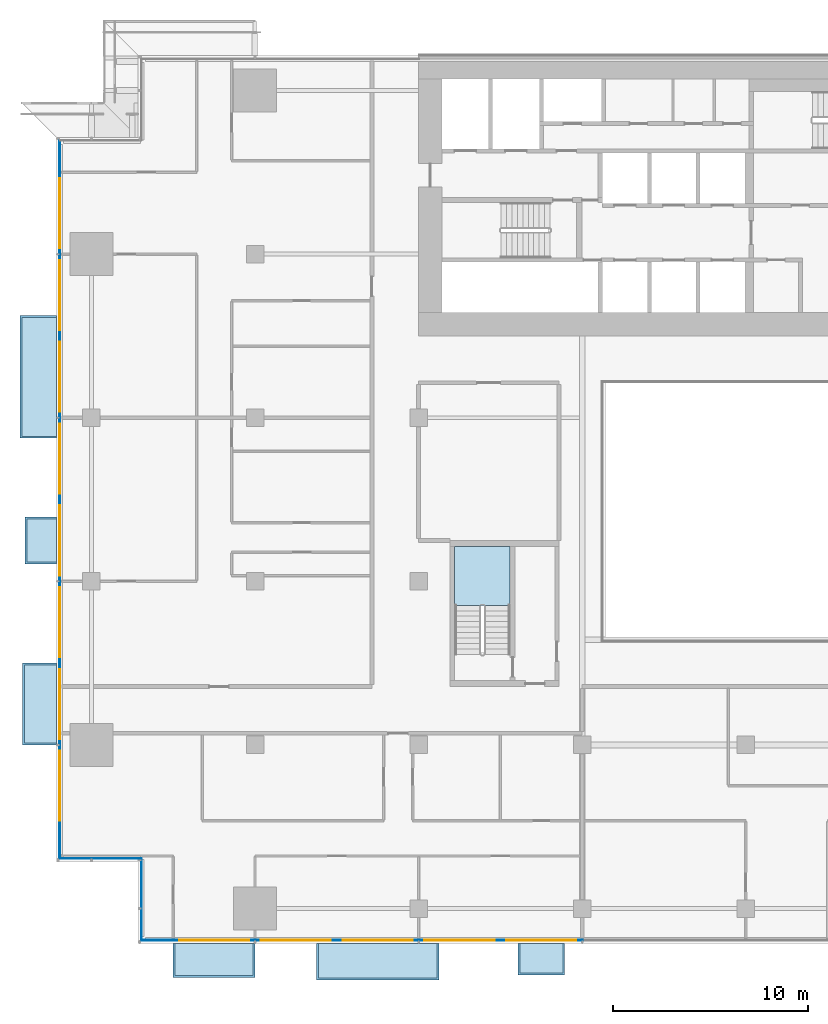
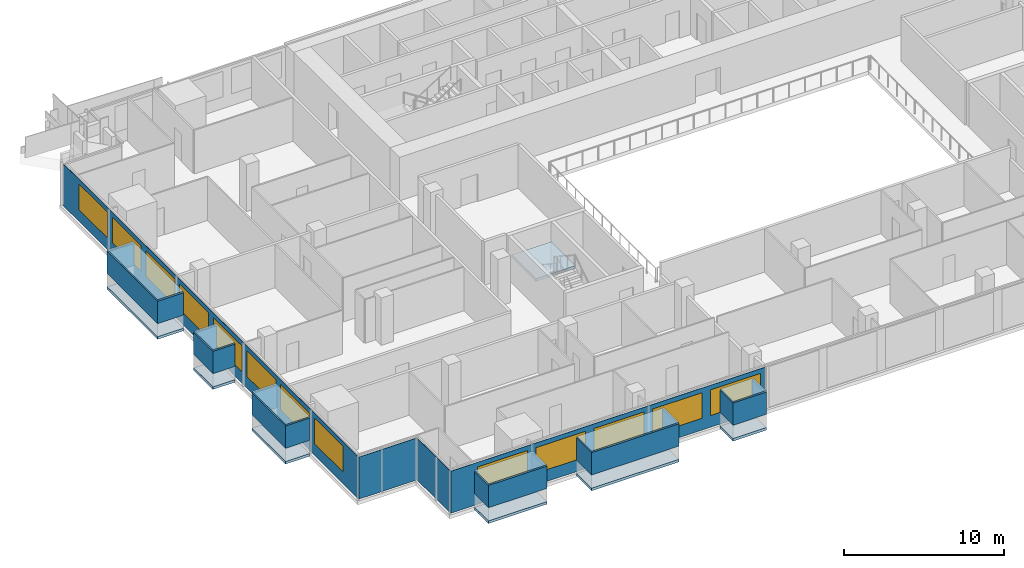
# One storey, part 14 of 29: 16 plates, 13 windows, 7 slabs, 13 openings, 5 elements without a shape of their own.
"""IFC4 building model written with IfcOpenShell, lengths in metres."""

from ifc_helpers import new_model, si_unit, direction, frame, frame_2d, origin, place, context, subcontext, project, spatial, polyline, rectangle, outline, extrude, material, layer, layer_set, type_object, element, fill, aggregate, save


model = new_model("IFC4")

# Units and contexts
model_context = context("Model", 3, precision=1e-05, world=origin(), true_north=direction((0.0, 1.0)))
body_context = subcontext(model_context, "Body", "Model", "MODEL_VIEW")
ifc_project = project(units=[si_unit("LENGTHUNIT", "METRE"), si_unit("AREAUNIT", "SQUARE_METRE"), si_unit("VOLUMEUNIT", "CUBIC_METRE"), si_unit("PLANEANGLEUNIT", "RADIAN"), si_unit("MASSUNIT", "GRAM", prefix="KILO")], contexts=[model_context])

# Site, building, storey
site_placement = place(None, origin())
site = spatial("IfcSite", under=ifc_project, at=site_placement, CompositionType="ELEMENT")
building_placement = place(site_placement, origin())
building = spatial("IfcBuilding", under=site, at=building_placement, Name="Saffron Gate Tower", CompositionType="ELEMENT")
storey_placement = place(building_placement, frame((0.0, 0.0, 48.0)))
storey = spatial("IfcBuildingStorey", under=building, at=storey_placement, Name="L10", CompositionType="ELEMENT", Elevation=48.0)

# Curtain wall, plate, openings, windows
ifc_material_1 = material(Name="Aluminium, bronze anodised", Category="aluminium")
curtain_wall_type_1 = type_object("IfcCurtainWallType", Name="CWS1 curtain wall front facade", PredefinedType="NOTDEFINED", material=ifc_material_1)
curtain_wall_1_placement = place(storey_placement, origin())
curtain_wall_1 = element("IfcCurtainWall", 1, at=curtain_wall_1_placement, inside=storey, type_object=curtain_wall_type_1, Name="CWS1 run 1", PredefinedType="NOTDEFINED")
ifc_material_2 = material(Name="Fritted bronze-tinted laminated glass", Category="glass")
ifc_layer_1 = layer(ifc_material_2, 0.028076171875)
ifc_layer_set_1 = layer_set([ifc_layer_1], Name="CWS1 fixed glass")
plate_type_1 = type_object("IfcPlateType", Name="CWS1 fixed glass", PredefinedType="CURTAIN_PANEL", material=ifc_layer_set_1)
plate_1_placement = place(storey_placement, frame((52.387939453125, 30.174072265625, 0.0), z_axis=(0.0, 0.0, 1.0), x_axis=(1.0, 0.0, 0.0)))
plate_1 = element("IfcPlate", 2, at=plate_1_placement, type_object=plate_type_1, Name="CWS1 glass panel", PredefinedType="CURTAIN_PANEL", context=body_context, shape_type="SweptSolid", body=[
    extrude(rectangle(XDim=22.64208984375, YDim=0.028076171875, at=frame_2d((11.321044921875, 0.0))), origin(), (0.0, 0.0, 1.0), 3.199951171875),
])
opening_1_placement = place(plate_1_placement, frame((1.912109375, 0.0, 0.89990234375)))
opening_1 = element("IfcOpeningElement", 3, at=opening_1_placement, cuts=plate_1, Name="Opening W1", PredefinedType="OPENING", context=body_context, shape_type="SweptSolid", body=[
    extrude(rectangle(XDim=3.60009765625, YDim=1.949951171875, at=frame_2d((1.800048828125, 0.97509765625))), frame((0.0, 0.02392578125, 0.0), z_axis=(0.0, -1.0, 0.0), x_axis=(1.0, 0.0, 0.0)), (0.0, 0.0, 1.0), 0.048095703125),
])
opening_2_placement = place(plate_1_placement, frame((6.112060546875, 0.0, 0.89990234375)))
opening_2 = element("IfcOpeningElement", 4, at=opening_2_placement, cuts=plate_1, Name="Opening W1", PredefinedType="OPENING", context=body_context, shape_type="SweptSolid", body=[
    extrude(rectangle(XDim=3.60009765625, YDim=1.949951171875, at=frame_2d((1.800048828125, 0.97509765625))), frame((0.0, 0.02392578125, 0.0), z_axis=(0.0, -1.0, 0.0), x_axis=(1.0, 0.0, 0.0)), (0.0, 0.0, 1.0), 0.048095703125),
])
opening_3_placement = place(plate_1_placement, frame((10.31201171875, 0.0, 0.89990234375)))
opening_3 = element("IfcOpeningElement", 5, at=opening_3_placement, cuts=plate_1, Name="Opening W1", PredefinedType="OPENING", context=body_context, shape_type="SweptSolid", body=[
    extrude(rectangle(XDim=3.60009765625, YDim=1.949951171875, at=frame_2d((1.800048828125, 0.97509765625))), frame((0.0, 0.02392578125, 0.0), z_axis=(0.0, -1.0, 0.0), x_axis=(1.0, 0.0, 0.0)), (0.0, 0.0, 1.0), 0.048095703125),
])
opening_4_placement = place(plate_1_placement, frame((14.511962890625, 0.0, 0.89990234375)))
opening_4 = element("IfcOpeningElement", 6, at=opening_4_placement, cuts=plate_1, Name="Opening W1", PredefinedType="OPENING", context=body_context, shape_type="SweptSolid", body=[
    extrude(rectangle(XDim=3.60009765625, YDim=1.949951171875, at=frame_2d((1.800048828125, 0.97509765625))), frame((0.0, 0.02392578125, 0.0), z_axis=(0.0, -1.0, 0.0), x_axis=(1.0, 0.0, 0.0)), (0.0, 0.0, 1.0), 0.048095703125),
])
opening_5_placement = place(plate_1_placement, frame((18.7119140625, 0.0, 0.89990234375)))
opening_5 = element("IfcOpeningElement", 7, at=opening_5_placement, cuts=plate_1, Name="Opening W1", PredefinedType="OPENING", context=body_context, shape_type="SweptSolid", body=[
    extrude(rectangle(XDim=3.60009765625, YDim=1.949951171875, at=frame_2d((1.800048828125, 0.97509765625))), frame((0.0, 0.02392578125, 0.0), z_axis=(0.0, -1.0, 0.0), x_axis=(1.0, 0.0, 0.0)), (0.0, 0.0, 1.0), 0.048095703125),
])
ifc_material_3 = material(Name="Fritted bronze-tinted laminated glass in bronze frame", Category="glass")
ifc_layer_2 = layer(ifc_material_3, 0.06005859375)
ifc_layer_set_2 = layer_set([ifc_layer_2], Name="W1 operable panel 3600x1950")
window_type = type_object("IfcWindowType", Name="W1 operable panel 3600x1950", PartitioningType="DOUBLE_PANEL_HORIZONTAL", PredefinedType="WINDOW", material=ifc_layer_set_2)
window_1_placement = place(opening_1_placement, origin())
window_1 = element("IfcWindow", 8, at=window_1_placement, type_object=window_type, Name="W1 operable panel", OverallHeight=1.949951171875, OverallWidth=3.60009765625, PartitioningType="SINGLE_PANEL", PredefinedType="WINDOW", context=body_context, shape_type="SweptSolid", body=[
    extrude(rectangle(XDim=3.60009765625, YDim=1.949951171875, at=frame_2d((1.800048828125, 0.97509765625))), frame((0.0, 0.013671875, 0.0), z_axis=(0.0, -1.0, 0.0), x_axis=(1.0, 0.0, 0.0)), (0.0, 0.0, 1.0), 0.027587890625),
])
fill(opening_1, window_1)
window_2_placement = place(opening_2_placement, origin())
window_2 = element("IfcWindow", 9, at=window_2_placement, type_object=window_type, Name="W1 operable panel", OverallHeight=1.949951171875, OverallWidth=3.60009765625, PartitioningType="SINGLE_PANEL", PredefinedType="WINDOW", context=body_context, shape_type="SweptSolid", body=[
    extrude(rectangle(XDim=3.60009765625, YDim=1.949951171875, at=frame_2d((1.800048828125, 0.97509765625))), frame((0.0, 0.013671875, 0.0), z_axis=(0.0, -1.0, 0.0), x_axis=(1.0, 0.0, 0.0)), (0.0, 0.0, 1.0), 0.027587890625),
])
fill(opening_2, window_2)
window_3_placement = place(opening_3_placement, origin())
window_3 = element("IfcWindow", 10, at=window_3_placement, type_object=window_type, Name="W1 operable panel", OverallHeight=1.949951171875, OverallWidth=3.60009765625, PartitioningType="SINGLE_PANEL", PredefinedType="WINDOW", context=body_context, shape_type="SweptSolid", body=[
    extrude(rectangle(XDim=3.60009765625, YDim=1.949951171875, at=frame_2d((1.800048828125, 0.97509765625))), frame((0.0, 0.013671875, 0.0), z_axis=(0.0, -1.0, 0.0), x_axis=(1.0, 0.0, 0.0)), (0.0, 0.0, 1.0), 0.027587890625),
])
fill(opening_3, window_3)
window_4_placement = place(opening_4_placement, origin())
window_4 = element("IfcWindow", 11, at=window_4_placement, type_object=window_type, Name="W1 operable panel", OverallHeight=1.949951171875, OverallWidth=3.60009765625, PartitioningType="SINGLE_PANEL", PredefinedType="WINDOW", context=body_context, shape_type="SweptSolid", body=[
    extrude(rectangle(XDim=3.60009765625, YDim=1.949951171875, at=frame_2d((1.800048828125, 0.97509765625))), frame((0.0, 0.013671875, 0.0), z_axis=(0.0, -1.0, 0.0), x_axis=(1.0, 0.0, 0.0)), (0.0, 0.0, 1.0), 0.027587890625),
])
fill(opening_4, window_4)
window_5_placement = place(opening_5_placement, origin())
window_5 = element("IfcWindow", 12, at=window_5_placement, type_object=window_type, Name="W1 operable panel", OverallHeight=1.949951171875, OverallWidth=3.60009765625, PartitioningType="SINGLE_PANEL", PredefinedType="WINDOW", context=body_context, shape_type="SweptSolid", body=[
    extrude(rectangle(XDim=3.60009765625, YDim=1.949951171875, at=frame_2d((1.800048828125, 0.97509765625))), frame((0.0, 0.013671875, 0.0), z_axis=(0.0, -1.0, 0.0), x_axis=(1.0, 0.0, 0.0)), (0.0, 0.0, 1.0), 0.027587890625),
])
fill(opening_5, window_5)
aggregate(curtain_wall_1, [plate_1, window_1, window_2, window_3, window_4, window_5])

curtain_wall_type_2 = type_object("IfcCurtainWallType", Name="CWS2 curtain wall side facades", PredefinedType="NOTDEFINED", material=ifc_material_1)
curtain_wall_2_placement = place(storey_placement, origin())
curtain_wall_2 = element("IfcCurtainWall", 13, at=curtain_wall_2_placement, inside=storey, type_object=curtain_wall_type_2, Name="CWS2 run 10", PredefinedType="NOTDEFINED")
ifc_layer_3 = layer(ifc_material_2, 0.028076171875)
ifc_layer_set_3 = layer_set([ifc_layer_3], Name="CWS2 fixed glass")
plate_type_2 = type_object("IfcPlateType", Name="CWS2 fixed glass", PredefinedType="CURTAIN_PANEL", material=ifc_layer_set_3)
plate_2_placement = place(storey_placement, frame((48.174072265625, 71.2119140625, 0.0), z_axis=(0.0, 0.0, 1.0), x_axis=(0.0, -1.0, 0.0)))
plate_2 = element("IfcPlate", 14, at=plate_2_placement, type_object=plate_type_2, Name="CWS2 glass panel", PredefinedType="CURTAIN_PANEL", context=body_context, shape_type="SweptSolid", body=[
    extrude(rectangle(XDim=36.823974609375, YDim=0.028076171875, at=frame_2d((18.412109375, 0.0))), origin(), (0.0, 0.0, 1.0), 3.199951171875),
])
opening_6_placement = place(plate_2_placement, frame((1.912109375, 0.0, 0.89990234375)))
opening_6 = element("IfcOpeningElement", 15, at=opening_6_placement, cuts=plate_2, Name="Opening W1", PredefinedType="OPENING", context=body_context, shape_type="SweptSolid", body=[
    extrude(rectangle(XDim=3.60009765625, YDim=1.949951171875, at=frame_2d((1.800048828125, 0.97509765625))), frame((0.0, 0.02392578125, 0.0), z_axis=(0.0, -1.0, 0.0), x_axis=(1.0, 0.0, 0.0)), (0.0, 0.0, 1.0), 0.048095703125),
])
opening_7_placement = place(plate_2_placement, frame((6.112060546875, 0.0, 0.89990234375)))
opening_7 = element("IfcOpeningElement", 16, at=opening_7_placement, cuts=plate_2, Name="Opening W1", PredefinedType="OPENING", context=body_context, shape_type="SweptSolid", body=[
    extrude(rectangle(XDim=3.60009765625, YDim=1.949951171875, at=frame_2d((1.800048828125, 0.97509765625))), frame((0.0, 0.02392578125, 0.0), z_axis=(0.0, -1.0, 0.0), x_axis=(1.0, 0.0, 0.0)), (0.0, 0.0, 1.0), 0.048095703125),
])
opening_8_placement = place(plate_2_placement, frame((10.31201171875, 0.0, 0.89990234375)))
opening_8 = element("IfcOpeningElement", 17, at=opening_8_placement, cuts=plate_2, Name="Opening W1", PredefinedType="OPENING", context=body_context, shape_type="SweptSolid", body=[
    extrude(rectangle(XDim=3.60009765625, YDim=1.949951171875, at=frame_2d((1.800048828125, 0.97509765625))), frame((0.0, 0.02392578125, 0.0), z_axis=(0.0, -1.0, 0.0), x_axis=(1.0, 0.0, 0.0)), (0.0, 0.0, 1.0), 0.048095703125),
])
opening_9_placement = place(plate_2_placement, frame((14.511962890625, 0.0, 0.89990234375)))
opening_9 = element("IfcOpeningElement", 18, at=opening_9_placement, cuts=plate_2, Name="Opening W1", PredefinedType="OPENING", context=body_context, shape_type="SweptSolid", body=[
    extrude(rectangle(XDim=3.60009765625, YDim=1.949951171875, at=frame_2d((1.800048828125, 0.97509765625))), frame((0.0, 0.02392578125, 0.0), z_axis=(0.0, -1.0, 0.0), x_axis=(1.0, 0.0, 0.0)), (0.0, 0.0, 1.0), 0.048095703125),
])
opening_10_placement = place(plate_2_placement, frame((18.7119140625, 0.0, 0.89990234375)))
opening_10 = element("IfcOpeningElement", 19, at=opening_10_placement, cuts=plate_2, Name="Opening W1", PredefinedType="OPENING", context=body_context, shape_type="SweptSolid", body=[
    extrude(rectangle(XDim=3.60009765625, YDim=1.949951171875, at=frame_2d((1.800048828125, 0.97509765625))), frame((0.0, 0.02392578125, 0.0), z_axis=(0.0, -1.0, 0.0), x_axis=(1.0, 0.0, 0.0)), (0.0, 0.0, 1.0), 0.048095703125),
])
opening_11_placement = place(plate_2_placement, frame((22.912109375, 0.0, 0.89990234375)))
opening_11 = element("IfcOpeningElement", 20, at=opening_11_placement, cuts=plate_2, Name="Opening W1", PredefinedType="OPENING", context=body_context, shape_type="SweptSolid", body=[
    extrude(rectangle(XDim=3.60009765625, YDim=1.949951171875, at=frame_2d((1.800048828125, 0.97509765625))), frame((0.0, 0.02392578125, 0.0), z_axis=(0.0, -1.0, 0.0), x_axis=(1.0, 0.0, 0.0)), (0.0, 0.0, 1.0), 0.048095703125),
])
opening_12_placement = place(plate_2_placement, frame((27.112060546875, 0.0, 0.89990234375)))
opening_12 = element("IfcOpeningElement", 21, at=opening_12_placement, cuts=plate_2, Name="Opening W1", PredefinedType="OPENING", context=body_context, shape_type="SweptSolid", body=[
    extrude(rectangle(XDim=3.60009765625, YDim=1.949951171875, at=frame_2d((1.800048828125, 0.97509765625))), frame((0.0, 0.02392578125, 0.0), z_axis=(0.0, -1.0, 0.0), x_axis=(1.0, 0.0, 0.0)), (0.0, 0.0, 1.0), 0.048095703125),
])
opening_13_placement = place(plate_2_placement, frame((31.31201171875, 0.0, 0.89990234375)))
opening_13 = element("IfcOpeningElement", 22, at=opening_13_placement, cuts=plate_2, Name="Opening W1", PredefinedType="OPENING", context=body_context, shape_type="SweptSolid", body=[
    extrude(rectangle(XDim=3.60009765625, YDim=1.949951171875, at=frame_2d((1.800048828125, 0.97509765625))), frame((0.0, 0.02392578125, 0.0), z_axis=(0.0, -1.0, 0.0), x_axis=(1.0, 0.0, 0.0)), (0.0, 0.0, 1.0), 0.048095703125),
])
window_6_placement = place(opening_6_placement, origin())
window_6 = element("IfcWindow", 23, at=window_6_placement, type_object=window_type, Name="W1 operable panel", OverallHeight=1.949951171875, OverallWidth=3.60009765625, PartitioningType="SINGLE_PANEL", PredefinedType="WINDOW", context=body_context, shape_type="SweptSolid", body=[
    extrude(rectangle(XDim=3.60009765625, YDim=1.949951171875, at=frame_2d((1.800048828125, 0.97509765625))), frame((0.0, 0.013671875, 0.0), z_axis=(0.0, -1.0, 0.0), x_axis=(1.0, 0.0, 0.0)), (0.0, 0.0, 1.0), 0.027587890625),
])
fill(opening_6, window_6)
window_7_placement = place(opening_7_placement, origin())
window_7 = element("IfcWindow", 24, at=window_7_placement, type_object=window_type, Name="W1 operable panel", OverallHeight=1.949951171875, OverallWidth=3.60009765625, PartitioningType="SINGLE_PANEL", PredefinedType="WINDOW", context=body_context, shape_type="SweptSolid", body=[
    extrude(rectangle(XDim=3.60009765625, YDim=1.949951171875, at=frame_2d((1.800048828125, 0.97509765625))), frame((0.0, 0.013671875, 0.0), z_axis=(0.0, -1.0, 0.0), x_axis=(1.0, 0.0, 0.0)), (0.0, 0.0, 1.0), 0.027587890625),
])
fill(opening_7, window_7)
window_8_placement = place(opening_8_placement, origin())
window_8 = element("IfcWindow", 25, at=window_8_placement, type_object=window_type, Name="W1 operable panel", OverallHeight=1.949951171875, OverallWidth=3.60009765625, PartitioningType="SINGLE_PANEL", PredefinedType="WINDOW", context=body_context, shape_type="SweptSolid", body=[
    extrude(rectangle(XDim=3.60009765625, YDim=1.949951171875, at=frame_2d((1.800048828125, 0.97509765625))), frame((0.0, 0.013671875, 0.0), z_axis=(0.0, -1.0, 0.0), x_axis=(1.0, 0.0, 0.0)), (0.0, 0.0, 1.0), 0.027587890625),
])
fill(opening_8, window_8)
window_9_placement = place(opening_9_placement, origin())
window_9 = element("IfcWindow", 26, at=window_9_placement, type_object=window_type, Name="W1 operable panel", OverallHeight=1.949951171875, OverallWidth=3.60009765625, PartitioningType="SINGLE_PANEL", PredefinedType="WINDOW", context=body_context, shape_type="SweptSolid", body=[
    extrude(rectangle(XDim=3.60009765625, YDim=1.949951171875, at=frame_2d((1.800048828125, 0.97509765625))), frame((0.0, 0.013671875, 0.0), z_axis=(0.0, -1.0, 0.0), x_axis=(1.0, 0.0, 0.0)), (0.0, 0.0, 1.0), 0.027587890625),
])
fill(opening_9, window_9)
window_10_placement = place(opening_10_placement, origin())
window_10 = element("IfcWindow", 27, at=window_10_placement, type_object=window_type, Name="W1 operable panel", OverallHeight=1.949951171875, OverallWidth=3.60009765625, PartitioningType="SINGLE_PANEL", PredefinedType="WINDOW", context=body_context, shape_type="SweptSolid", body=[
    extrude(rectangle(XDim=3.60009765625, YDim=1.949951171875, at=frame_2d((1.800048828125, 0.97509765625))), frame((0.0, 0.013671875, 0.0), z_axis=(0.0, -1.0, 0.0), x_axis=(1.0, 0.0, 0.0)), (0.0, 0.0, 1.0), 0.027587890625),
])
fill(opening_10, window_10)
window_11_placement = place(opening_11_placement, origin())
window_11 = element("IfcWindow", 28, at=window_11_placement, type_object=window_type, Name="W1 operable panel", OverallHeight=1.949951171875, OverallWidth=3.60009765625, PartitioningType="SINGLE_PANEL", PredefinedType="WINDOW", context=body_context, shape_type="SweptSolid", body=[
    extrude(rectangle(XDim=3.60009765625, YDim=1.949951171875, at=frame_2d((1.800048828125, 0.97509765625))), frame((0.0, 0.013671875, 0.0), z_axis=(0.0, -1.0, 0.0), x_axis=(1.0, 0.0, 0.0)), (0.0, 0.0, 1.0), 0.027587890625),
])
fill(opening_11, window_11)
window_12_placement = place(opening_12_placement, origin())
window_12 = element("IfcWindow", 29, at=window_12_placement, type_object=window_type, Name="W1 operable panel", OverallHeight=1.949951171875, OverallWidth=3.60009765625, PartitioningType="SINGLE_PANEL", PredefinedType="WINDOW", context=body_context, shape_type="SweptSolid", body=[
    extrude(rectangle(XDim=3.60009765625, YDim=1.949951171875, at=frame_2d((1.800048828125, 0.97509765625))), frame((0.0, 0.013671875, 0.0), z_axis=(0.0, -1.0, 0.0), x_axis=(1.0, 0.0, 0.0)), (0.0, 0.0, 1.0), 0.027587890625),
])
fill(opening_12, window_12)
window_13_placement = place(opening_13_placement, origin())
window_13 = element("IfcWindow", 30, at=window_13_placement, type_object=window_type, Name="W1 operable panel", OverallHeight=1.949951171875, OverallWidth=3.60009765625, PartitioningType="SINGLE_PANEL", PredefinedType="WINDOW", context=body_context, shape_type="SweptSolid", body=[
    extrude(rectangle(XDim=3.60009765625, YDim=1.949951171875, at=frame_2d((1.800048828125, 0.97509765625))), frame((0.0, 0.013671875, 0.0), z_axis=(0.0, -1.0, 0.0), x_axis=(1.0, 0.0, 0.0)), (0.0, 0.0, 1.0), 0.027587890625),
])
fill(opening_13, window_13)
aggregate(curtain_wall_2, [plate_2, window_6, window_7, window_8, window_9, window_10, window_11, window_12, window_13])

# Curtain wall, plate
curtain_wall_type_3 = type_object("IfcCurtainWallType", Name="CWS4 curtain wall corner returns", PredefinedType="NOTDEFINED", material=ifc_material_1)
curtain_wall_3_placement = place(storey_placement, origin())
curtain_wall_3 = element("IfcCurtainWall", 31, at=curtain_wall_3_placement, inside=storey, type_object=curtain_wall_type_3, Name="CWS4 run 11", PredefinedType="NOTDEFINED")
ifc_layer_4 = layer(ifc_material_2, 0.028076171875)
ifc_layer_set_4 = layer_set([ifc_layer_4], Name="CWS4 fixed glass")
plate_type_3 = type_object("IfcPlateType", Name="CWS4 fixed glass", PredefinedType="CURTAIN_PANEL", material=ifc_layer_set_4)
plate_3_placement = place(storey_placement, frame((48.18798828125, 34.3740234375, 0.0), z_axis=(0.0, 0.0, 1.0), x_axis=(1.0, 0.0, 0.0)))
plate_3 = element("IfcPlate", 32, at=plate_3_placement, type_object=plate_type_3, Name="CWS4 glass panel", PredefinedType="CURTAIN_PANEL", context=body_context, shape_type="SweptSolid", body=[
    extrude(rectangle(XDim=4.172119140625, YDim=0.028076171875, at=frame_2d((2.0859375, 0.0))), origin(), (0.0, 0.0, 1.0), 3.199951171875),
])
aggregate(curtain_wall_3, [plate_3])

curtain_wall_4_placement = place(storey_placement, origin())
curtain_wall_4 = element("IfcCurtainWall", 33, at=curtain_wall_4_placement, inside=storey, type_object=curtain_wall_type_3, Name="CWS4 run 12", PredefinedType="NOTDEFINED")
plate_4_placement = place(storey_placement, frame((52.3740234375, 34.360107421875, 0.0), z_axis=(0.0, 0.0, 1.0), x_axis=(0.0, -1.0, 0.0)))
plate_4 = element("IfcPlate", 34, at=plate_4_placement, type_object=plate_type_3, Name="CWS4 glass panel", PredefinedType="CURTAIN_PANEL", context=body_context, shape_type="SweptSolid", body=[
    extrude(rectangle(XDim=4.172119140625, YDim=0.028076171875, at=frame_2d((2.0859375, 0.0))), origin(), (0.0, 0.0, 1.0), 3.199951171875),
])
aggregate(curtain_wall_4, [plate_4])

# Stair, slab
ifc_material_4 = material(Name="Concrete C40", Category="concrete")
stair_type = type_object("IfcStairType", Name="ST7 Stair 1350 wide, 20 risers of 180", PredefinedType="HALF_TURN_STAIR", material=ifc_material_4)
stair_placement = place(storey_placement, origin())
stair = element("IfcStair", 35, at=stair_placement, inside=storey, type_object=stair_type, Name="L10 Exit stair D", PredefinedType="HALF_TURN_STAIR")
ifc_layer_5 = layer(ifc_material_4, 0.199951171875)
ifc_layer_set_5 = layer_set([ifc_layer_5], Name="SL1 Stair landing 200")
slab_type_1 = type_object("IfcSlabType", Name="SL1 Stair landing 200", PredefinedType="LANDING", material=ifc_layer_set_5)
slab_1_placement = place(storey_placement, frame((0.0, 0.0, 1.60009765625)))
slab_1 = element("IfcSlab", 36, at=slab_1_placement, type_object=slab_type_1, Name="ST-D landing 1", PredefinedType="LANDING", context=body_context, shape_type="SweptSolid", body=[
    extrude(outline(polyline([(71.300048828125, 47.3701171875), (71.300048828125, 50.39990234375), (68.449951171875, 50.39990234375), (68.449951171875, 47.3701171875), (71.300048828125, 47.3701171875)])), origin(), (0.0, 0.0, 1.0), 0.199951171875),
])
aggregate(stair, [slab_1])

# Slabs
ifc_material_5 = material(Name="Timber deck on bronze frame", Category="wood")
ifc_layer_6 = layer(ifc_material_5, 0.199951171875)
ifc_layer_set_6 = layer_set([ifc_layer_6], Name="WB1 box floor")
slab_type_2 = type_object("IfcSlabType", Name="WB1 box floor", PredefinedType="FLOOR", material=ifc_layer_set_6)
slab_2_placement = place(storey_placement, frame((0.0, 0.0, -0.199951171875)))
element("IfcSlab", 37, at=slab_2_placement, inside=storey, type_object=slab_type_2, Name="WINDOW BOX floor", PredefinedType="FLOOR", context=body_context, shape_type="SweptSolid", body=[
    extrude(outline(polyline([(54.0, 30.0), (58.199951171875, 30.0), (58.199951171875, 28.26708984375), (54.0, 28.26708984375), (54.0, 30.0)])), origin(), (0.0, 0.0, 1.0), 0.199951171875),
])
slab_3_placement = place(storey_placement, frame((0.0, 0.0, -0.199951171875)))
element("IfcSlab", 38, at=slab_3_placement, inside=storey, type_object=slab_type_2, Name="WINDOW BOX floor", PredefinedType="FLOOR", context=body_context, shape_type="SweptSolid", body=[
    extrude(outline(polyline([(61.35009765625, 30.0), (67.64990234375, 30.0), (67.64990234375, 28.133056640625), (61.35009765625, 28.133056640625), (61.35009765625, 30.0)])), origin(), (0.0, 0.0, 1.0), 0.199951171875),
])
slab_4_placement = place(storey_placement, frame((0.0, 0.0, -0.199951171875)))
element("IfcSlab", 39, at=slab_4_placement, inside=storey, type_object=slab_type_2, Name="WINDOW BOX floor", PredefinedType="FLOOR", context=body_context, shape_type="SweptSolid", body=[
    extrude(outline(polyline([(71.699951171875, 30.0), (74.10009765625, 30.0), (74.10009765625, 28.39990234375), (71.699951171875, 28.39990234375), (71.699951171875, 30.0)])), origin(), (0.0, 0.0, 1.0), 0.199951171875),
])
slab_5_placement = place(storey_placement, frame((0.0, 0.0, -0.199951171875)))
element("IfcSlab", 40, at=slab_5_placement, inside=storey, type_object=slab_type_2, Name="WINDOW BOX floor", PredefinedType="FLOOR", context=body_context, shape_type="SweptSolid", body=[
    extrude(outline(polyline([(48.0, 62.25), (48.0, 55.949951171875), (46.133056640625, 55.949951171875), (46.133056640625, 62.25), (48.0, 62.25)])), origin(), (0.0, 0.0, 1.0), 0.199951171875),
])
slab_6_placement = place(storey_placement, frame((0.0, 0.0, -0.199951171875)))
element("IfcSlab", 41, at=slab_6_placement, inside=storey, type_object=slab_type_2, Name="WINDOW BOX floor", PredefinedType="FLOOR", context=body_context, shape_type="SweptSolid", body=[
    extrude(outline(polyline([(48.0, 51.89990234375), (48.0, 49.5), (46.39990234375, 49.5), (46.39990234375, 51.89990234375), (48.0, 51.89990234375)])), origin(), (0.0, 0.0, 1.0), 0.199951171875),
])
slab_7_placement = place(storey_placement, frame((0.0, 0.0, -0.199951171875)))
element("IfcSlab", 42, at=slab_7_placement, inside=storey, type_object=slab_type_2, Name="WINDOW BOX floor", PredefinedType="FLOOR", context=body_context, shape_type="SweptSolid", body=[
    extrude(outline(polyline([(48.0, 44.39990234375), (48.0, 40.199951171875), (46.26708984375, 40.199951171875), (46.26708984375, 44.39990234375), (48.0, 44.39990234375)])), origin(), (0.0, 0.0, 1.0), 0.199951171875),
])

# Plates
ifc_layer_7 = layer(ifc_material_1, 0.1201171875)
ifc_layer_set_7 = layer_set([ifc_layer_7], Name="WB2 box roof")
plate_type_4 = type_object("IfcPlateType", Name="WB2 box roof", PredefinedType="SHEET", material=ifc_layer_set_7)
plate_5_placement = place(storey_placement, frame((0.0, 0.0, 2.699951171875)))
element("IfcPlate", 43, at=plate_5_placement, inside=storey, type_object=plate_type_4, Name="WINDOW BOX roof", PredefinedType="SHEET", context=body_context, shape_type="SweptSolid", body=[
    extrude(outline(polyline([(54.0, 30.0), (58.199951171875, 30.0), (58.199951171875, 28.26708984375), (54.0, 28.26708984375), (54.0, 30.0)])), origin(), (0.0, 0.0, 1.0), 0.1201171875),
])
plate_6_placement = place(storey_placement, frame((0.0, 0.0, 2.699951171875)))
element("IfcPlate", 44, at=plate_6_placement, inside=storey, type_object=plate_type_4, Name="WINDOW BOX roof", PredefinedType="SHEET", context=body_context, shape_type="SweptSolid", body=[
    extrude(outline(polyline([(61.35009765625, 30.0), (67.64990234375, 30.0), (67.64990234375, 28.133056640625), (61.35009765625, 28.133056640625), (61.35009765625, 30.0)])), origin(), (0.0, 0.0, 1.0), 0.1201171875),
])
plate_7_placement = place(storey_placement, frame((0.0, 0.0, 2.699951171875)))
element("IfcPlate", 45, at=plate_7_placement, inside=storey, type_object=plate_type_4, Name="WINDOW BOX roof", PredefinedType="SHEET", context=body_context, shape_type="SweptSolid", body=[
    extrude(outline(polyline([(71.699951171875, 30.0), (74.10009765625, 30.0), (74.10009765625, 28.39990234375), (71.699951171875, 28.39990234375), (71.699951171875, 30.0)])), origin(), (0.0, 0.0, 1.0), 0.1201171875),
])
plate_8_placement = place(storey_placement, frame((0.0, 0.0, 2.699951171875)))
element("IfcPlate", 46, at=plate_8_placement, inside=storey, type_object=plate_type_4, Name="WINDOW BOX roof", PredefinedType="SHEET", context=body_context, shape_type="SweptSolid", body=[
    extrude(outline(polyline([(48.0, 62.25), (48.0, 55.949951171875), (46.133056640625, 55.949951171875), (46.133056640625, 62.25), (48.0, 62.25)])), origin(), (0.0, 0.0, 1.0), 0.1201171875),
])
plate_9_placement = place(storey_placement, frame((0.0, 0.0, 2.699951171875)))
element("IfcPlate", 47, at=plate_9_placement, inside=storey, type_object=plate_type_4, Name="WINDOW BOX roof", PredefinedType="SHEET", context=body_context, shape_type="SweptSolid", body=[
    extrude(outline(polyline([(48.0, 51.89990234375), (48.0, 49.5), (46.39990234375, 49.5), (46.39990234375, 51.89990234375), (48.0, 51.89990234375)])), origin(), (0.0, 0.0, 1.0), 0.1201171875),
])
plate_10_placement = place(storey_placement, frame((0.0, 0.0, 2.699951171875)))
element("IfcPlate", 48, at=plate_10_placement, inside=storey, type_object=plate_type_4, Name="WINDOW BOX roof", PredefinedType="SHEET", context=body_context, shape_type="SweptSolid", body=[
    extrude(outline(polyline([(48.0, 44.39990234375), (48.0, 40.199951171875), (46.26708984375, 40.199951171875), (46.26708984375, 44.39990234375), (48.0, 44.39990234375)])), origin(), (0.0, 0.0, 1.0), 0.1201171875),
])
ifc_material_6 = material(Name="Clear low-iron laminated glass", Category="glass")
ifc_layer_8 = layer(ifc_material_6, 0.10009765625)
ifc_layer_set_8 = layer_set([ifc_layer_8], Name="WB6 box glazing")
plate_type_5 = type_object("IfcPlateType", Name="WB6 box glazing", PredefinedType="SHEET", material=ifc_layer_set_8)
plate_11_placement = place(storey_placement, frame((0.0, 0.0, 1.0)))
element("IfcPlate", 49, at=plate_11_placement, inside=storey, type_object=plate_type_5, Name="WINDOW BOX glazing", PredefinedType="SHEET", context=body_context, shape_type="SweptSolid", body=[
    extrude(outline(polyline([(54.0, 30.0), (54.10009765625, 30.0), (54.10009765625, 28.366943359375), (58.10009765625, 28.366943359375), (58.10009765625, 30.0), (58.199951171875, 30.0), (58.199951171875, 28.26708984375), (54.0, 28.26708984375), (54.0, 30.0)])), origin(), (0.0, 0.0, 1.0), 1.699951171875),
])
plate_12_placement = place(storey_placement, frame((0.0, 0.0, 1.0)))
element("IfcPlate", 50, at=plate_12_placement, inside=storey, type_object=plate_type_5, Name="WINDOW BOX glazing", PredefinedType="SHEET", context=body_context, shape_type="SweptSolid", body=[
    extrude(outline(polyline([(61.35009765625, 30.0), (61.449951171875, 30.0), (61.449951171875, 28.23291015625), (67.550048828125, 28.23291015625), (67.550048828125, 30.0), (67.64990234375, 30.0), (67.64990234375, 28.133056640625), (61.35009765625, 28.133056640625), (61.35009765625, 30.0)])), origin(), (0.0, 0.0, 1.0), 1.699951171875),
])
plate_13_placement = place(storey_placement, frame((0.0, 0.0, 1.0)))
element("IfcPlate", 51, at=plate_13_placement, inside=storey, type_object=plate_type_5, Name="WINDOW BOX glazing", PredefinedType="SHEET", context=body_context, shape_type="SweptSolid", body=[
    extrude(outline(polyline([(71.699951171875, 30.0), (71.800048828125, 30.0), (71.800048828125, 28.5), (74.0, 28.5), (74.0, 30.0), (74.10009765625, 30.0), (74.10009765625, 28.39990234375), (71.699951171875, 28.39990234375), (71.699951171875, 30.0)])), origin(), (0.0, 0.0, 1.0), 1.699951171875),
])
plate_14_placement = place(storey_placement, frame((0.0, 0.0, 1.0)))
element("IfcPlate", 52, at=plate_14_placement, inside=storey, type_object=plate_type_5, Name="WINDOW BOX glazing", PredefinedType="SHEET", context=body_context, shape_type="SweptSolid", body=[
    extrude(outline(polyline([(48.0, 62.25), (48.0, 62.14990234375), (46.23291015625, 62.14990234375), (46.23291015625, 56.050048828125), (48.0, 56.050048828125), (48.0, 55.949951171875), (46.133056640625, 55.949951171875), (46.133056640625, 62.25), (48.0, 62.25)])), origin(), (0.0, 0.0, 1.0), 1.699951171875),
])
plate_15_placement = place(storey_placement, frame((0.0, 0.0, 1.0)))
element("IfcPlate", 53, at=plate_15_placement, inside=storey, type_object=plate_type_5, Name="WINDOW BOX glazing", PredefinedType="SHEET", context=body_context, shape_type="SweptSolid", body=[
    extrude(outline(polyline([(48.0, 51.89990234375), (48.0, 51.800048828125), (46.5, 51.800048828125), (46.5, 49.60009765625), (48.0, 49.60009765625), (48.0, 49.5), (46.39990234375, 49.5), (46.39990234375, 51.89990234375), (48.0, 51.89990234375)])), origin(), (0.0, 0.0, 1.0), 1.699951171875),
])
plate_16_placement = place(storey_placement, frame((0.0, 0.0, 1.0)))
element("IfcPlate", 54, at=plate_16_placement, inside=storey, type_object=plate_type_5, Name="WINDOW BOX glazing", PredefinedType="SHEET", context=body_context, shape_type="SweptSolid", body=[
    extrude(outline(polyline([(48.0, 44.39990234375), (48.0, 44.300048828125), (46.366943359375, 44.300048828125), (46.366943359375, 40.300048828125), (48.0, 40.300048828125), (48.0, 40.199951171875), (46.26708984375, 40.199951171875), (46.26708984375, 44.39990234375), (48.0, 44.39990234375)])), origin(), (0.0, 0.0, 1.0), 1.699951171875),
])

save(model, "model.ifc")
